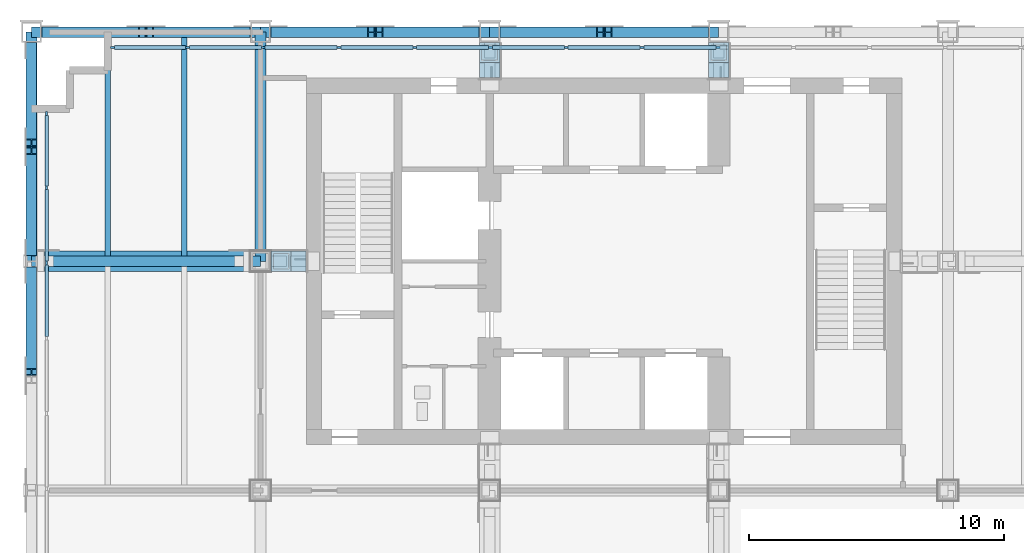
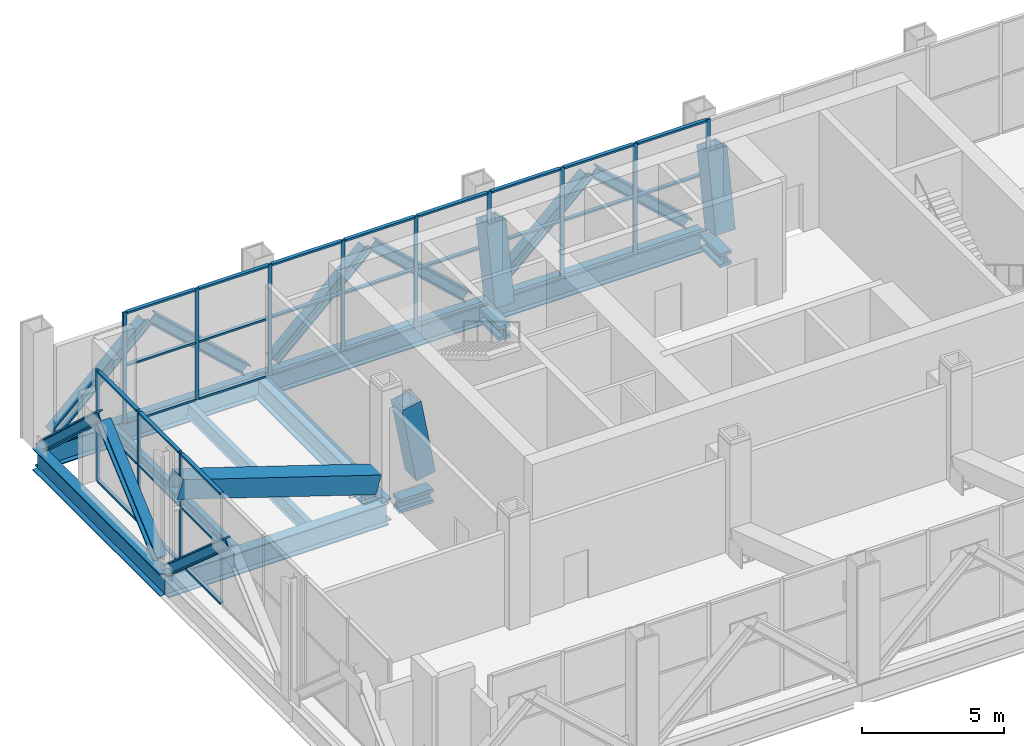
# One storey, part 4 of 13: 61 members, 8 beams, 2 elements without a shape of their own.
"""IFC4 building model written with IfcOpenShell, lengths in metres."""

from ifc_helpers import new_model, si_unit, direction, frame, origin, origin_2d, place, context, subcontext, project, spatial, rectangle, hollow_rectangle, i_section, extrude, material, material_profile, profile_set, type_object, element, aggregate, save


model = new_model("IFC4")

# Units and contexts
model_context = context("Model", 3, precision=1e-05, world=origin(), true_north=direction((0.0, 1.0)))
body_context = subcontext(model_context, "Body", "Model", "MODEL_VIEW")
ifc_project = project(units=[si_unit("LENGTHUNIT", "METRE"), si_unit("AREAUNIT", "SQUARE_METRE"), si_unit("VOLUMEUNIT", "CUBIC_METRE"), si_unit("PLANEANGLEUNIT", "RADIAN"), si_unit("MASSUNIT", "GRAM", prefix="KILO")], contexts=[model_context])

# Site, building, storey
site_placement = place(None, origin())
site = spatial("IfcSite", under=ifc_project, at=site_placement, CompositionType="ELEMENT")
building_placement = place(site_placement, origin())
building = spatial("IfcBuilding", under=site, at=building_placement, Name="Loomwork Tower", CompositionType="ELEMENT")
storey_placement = place(building_placement, frame((0.0, 0.0, 221.60009765625)))
storey = spatial("IfcBuildingStorey", under=building, at=storey_placement, Name="L61", CompositionType="ELEMENT", Elevation=221.60009765625)

# Beams
ifc_material_1 = material(Name="Steel ASTM A992", Category="steel")
ifc_material_profile_1 = material_profile(ifc_material_1, i_section(OverallWidth=0.424072265625, OverallDepth=0.947509765625, WebThickness=0.02392578125, FlangeThickness=0.042724609375, at=origin_2d()), Name="W36x302")
ifc_profile_set_1 = profile_set([ifc_material_profile_1], Name="Steel ASTM A992")
beam_type_1 = type_object("IfcBeamType", Name="BELT CHORD SPANDREL W36x302", PredefinedType="SPANDREL", material=ifc_profile_set_1)
for number, where, z_axis, x_axis, name in (
    (1, (0.0, 27.0, -0.723876953125), (1.0, 0.0, 0.0), (0.0, 1.0, 0.0), "Belt Chord Spandrel G/2-G/3 L61"),
    (2, (9.0, 27.0, -0.723876953125), (1.0, 0.0, 0.0), (0.0, 1.0, 0.0), "Belt Chord Spandrel G/3-G/4 L61"),
    (3, (18.0, 27.0, -0.723876953125), (1.0, 0.0, 0.0), (0.0, 1.0, 0.0), "Belt Chord Spandrel G/4-G/5 L61"),
    (4, (0.0, 18.0, -0.723876953125), (0.0, 1.0, 0.0), (-1.0, 0.0, 0.0), "Belt Chord Spandrel F/2-G/2 L61"),
):
    element("IfcBeam", number, at=place(storey_placement, frame(where, z_axis=z_axis, x_axis=x_axis)), inside=storey, type_object=beam_type_1, Name=name, PredefinedType="SPANDREL", context=body_context, shape_type="SweptSolid", body=[
        extrude(i_section(OverallWidth=0.424072265625, OverallDepth=0.947509765625, WebThickness=0.02392578125, FlangeThickness=0.042724609375, at=origin_2d()), origin(), (0.0, 0.0, 1.0), 9.0),
    ])

# Members
ifc_material_2 = material(Name="Steel ASTM A992", Category="steel")
ifc_material_profile_2 = material_profile(ifc_material_2, i_section(OverallWidth=0.411376953125, OverallDepth=0.434326171875, WebThickness=0.035888671875, FlangeThickness=0.057373046875, at=origin_2d()), Name="W14x311")
ifc_profile_set_2 = profile_set([ifc_material_profile_2], Name="Steel ASTM A992")
member_type_1 = type_object("IfcMemberType", Name="BELT TRUSS DIAGONAL W14x311", PredefinedType="BRACE", material=ifc_profile_set_2)
for number, where, z_axis, x_axis, name in (
    (5, (0.5576171875, 27.0, 0.169189453125), (0.732985346521, 0.0, 0.680244427971), (0.0, 1.0, 0.0), "Belt truss diagonal G/2-G/3 L61"),
    (6, (8.4423828125, 27.0, 0.169189453125), (-0.732985346521, 0.0, 0.680244427971), (0.0, -1.0, 0.0), "Belt truss diagonal G/2-G/3 L61"),
    (7, (9.5576171875, 27.0, 0.169189453125), (0.732985346521, 0.0, 0.680244427971), (0.0, 1.0, 0.0), "Belt truss diagonal G/3-G/4 L61"),
    (8, (17.4423828125, 27.0, 0.169189453125), (-0.732985346521, 0.0, 0.680244427971), (0.0, -1.0, 0.0), "Belt truss diagonal G/3-G/4 L61"),
    (9, (18.5576171875, 27.0, 0.169189453125), (0.732985346521, 0.0, 0.680244427971), (0.0, 1.0, 0.0), "Belt truss diagonal G/4-G/5 L61"),
    (10, (26.4423828125, 27.0, 0.169189453125), (-0.732985346521, 0.0, 0.680244427971), (0.0, -1.0, 0.0), "Belt truss diagonal G/4-G/5 L61"),
):
    element("IfcMember", number, at=place(storey_placement, frame(where, z_axis=z_axis, x_axis=x_axis)), inside=storey, type_object=member_type_1, Name=name, PredefinedType="BRACE", context=body_context, shape_type="SweptSolid", body=[
        extrude(i_section(OverallWidth=0.411376953125, OverallDepth=0.434326171875, WebThickness=0.035888671875, FlangeThickness=0.057373046875, at=origin_2d()), origin(), (0.0, 0.0, 1.0), 5.166015625),
    ])
for number, where, z_axis, x_axis, name in (
    (11, (0.0, 17.633056640625, 0.1728515625), (0.0, -0.750440506123, 0.660938005239), (1.0, 0.0, 0.0), "Belt truss diagonal E/2-F/2 L61"),
    (12, (0.0, 18.366943359375, 0.1728515625), (0.0, 0.750440506123, 0.660938005239), (-1.0, 0.0, 0.0), "Belt truss diagonal F/2-G/2 L61"),
):
    element("IfcMember", number, at=place(storey_placement, frame(where, z_axis=z_axis, x_axis=x_axis)), inside=storey, type_object=member_type_1, Name=name, PredefinedType="BRACE", context=body_context, shape_type="SweptSolid", body=[
        extrude(i_section(OverallWidth=0.411376953125, OverallDepth=0.434326171875, WebThickness=0.035888671875, FlangeThickness=0.057373046875, at=origin_2d()), origin(), (0.0, 0.0, 1.0), 5.305419921875),
    ])
member_1_placement = place(storey_placement, frame((0.0, 26.4423828125, 0.169189453125), z_axis=(0.0, -0.732985346521, 0.680244427971), x_axis=(1.0, 0.0, 0.0)))
element("IfcMember", 13, at=member_1_placement, inside=storey, type_object=member_type_1, Name="Belt truss diagonal F/2-G/2 L61", PredefinedType="BRACE", context=body_context, shape_type="SweptSolid", body=[
    extrude(i_section(OverallWidth=0.411376953125, OverallDepth=0.434326171875, WebThickness=0.035888671875, FlangeThickness=0.057373046875, at=origin_2d()), origin(), (0.0, 0.0, 1.0), 5.166015625),
])
ifc_material_3 = material(Name="Steel ASTM A572 Grade 50 plate", Category="steel")
ifc_material_profile_3 = material_profile(ifc_material_3, hollow_rectangle(XDim=0.800048828125, YDim=0.800048828125, WallThickness=0.090087890625, at=origin_2d()), Name="BOX800x90")
ifc_profile_set_3 = profile_set([ifc_material_profile_3], Name="Steel ASTM A572 Grade 50 plate")
member_type_2 = type_object("IfcMemberType", Name="OUTRIGGER DIAGONAL BOX800x90", PredefinedType="BRACE", material=ifc_profile_set_3)
member_2_placement = place(storey_placement, frame((0.376953125, 18.0, 3.460205078125), z_axis=(0.951067399308, 0.0, -0.308983497898), x_axis=(0.0, 1.0, 0.0)))
element("IfcMember", 14, at=member_2_placement, inside=storey, type_object=member_type_2, Name="Outrigger diagonal F/2 L61", PredefinedType="BRACE", context=body_context, shape_type="SweptSolid", body=[
    extrude(hollow_rectangle(XDim=0.800048828125, YDim=0.800048828125, WallThickness=0.090087890625, at=origin_2d()), origin(), (0.0, 0.0, 1.0), 8.50341796875),
])
member_3_placement = place(storey_placement, frame((9.8056640625, 18.0, 3.76904296875), z_axis=(0.178462027692, 0.0, -0.983946799716), x_axis=(0.0, 1.0, 0.0)))
element("IfcMember", 15, at=member_3_placement, inside=storey, type_object=member_type_2, Name="Outrigger diagonal F/3 L61", PredefinedType="BRACE", context=body_context, shape_type="SweptSolid", body=[
    extrude(hollow_rectangle(XDim=0.800048828125, YDim=0.800048828125, WallThickness=0.090087890625, at=origin_2d()), origin(), (0.0, 0.0, 1.0), 3.29833984375),
])
for number, where, z_axis, x_axis, name in (
    (16, (18.0, 26.1943359375, 3.766357421875), (0.0, -0.17860511499, -0.983920836704), (1.0, 0.0, 0.0), "Outrigger diagonal G/4 L61"),
    (17, (27.0, 26.1943359375, 3.766357421875), (0.0, -0.17860511499, -0.983920836704), (1.0, 0.0, 0.0), "Outrigger diagonal G/5 L61"),
):
    element("IfcMember", number, at=place(storey_placement, frame(where, z_axis=z_axis, x_axis=x_axis)), inside=storey, type_object=member_type_2, Name=name, PredefinedType="BRACE", context=body_context, shape_type="SweptSolid", body=[
        extrude(hollow_rectangle(XDim=0.800048828125, YDim=0.800048828125, WallThickness=0.090087890625, at=origin_2d()), origin(), (0.0, 0.0, 1.0), 3.295654296875),
    ])

# Beams
ifc_material_4 = material(Name="Steel ASTM A992", Category="steel")
ifc_material_profile_4 = material_profile(ifc_material_4, i_section(OverallWidth=0.4267578125, OverallDepth=0.939697265625, WebThickness=0.028564453125, FlangeThickness=0.050537109375, at=origin_2d()), Name="W36x361")
ifc_profile_set_4 = profile_set([ifc_material_profile_4], Name="Steel ASTM A992")
beam_type_2 = type_object("IfcBeamType", Name="OUTRIGGER FLOOR GIRDER W36x361", PredefinedType="BEAM", material=ifc_profile_set_4)
beam_1_placement = place(storey_placement, frame((9.0, 18.0, -0.719970703125), z_axis=(0.0, 1.0, 0.0), x_axis=(-1.0, 0.0, 0.0)))
element("IfcBeam", 18, at=beam_1_placement, inside=storey, type_object=beam_type_2, Name="Outrigger Floor Girder F/3-G/3 L61", PredefinedType="BEAM", context=body_context, shape_type="SweptSolid", body=[
    extrude(i_section(OverallWidth=0.4267578125, OverallDepth=0.939697265625, WebThickness=0.028564453125, FlangeThickness=0.050537109375, at=origin_2d()), origin(), (0.0, 0.0, 1.0), 9.0),
])
ifc_material_5 = material(Name="Steel ASTM A992", Category="steel")
ifc_material_profile_5 = material_profile(ifc_material_5, i_section(OverallWidth=0.424072265625, OverallDepth=0.947509765625, WebThickness=0.02392578125, FlangeThickness=0.042724609375, at=origin_2d()), Name="W36x302")
ifc_profile_set_5 = profile_set([ifc_material_profile_5], Name="Steel ASTM A992")
beam_type_3 = type_object("IfcBeamType", Name="OUTRIGGER GIRDER W36x302", PredefinedType="BEAM", material=ifc_profile_set_5)
beam_2_placement = place(storey_placement, frame((0.0, 18.0, -0.723876953125), z_axis=(1.0, 0.0, 0.0), x_axis=(0.0, 1.0, 0.0)))
element("IfcBeam", 19, at=beam_2_placement, inside=storey, type_object=beam_type_3, Name="Outrigger Girder F/2-F/3 L61", PredefinedType="BEAM", context=body_context, shape_type="SweptSolid", body=[
    extrude(i_section(OverallWidth=0.424072265625, OverallDepth=0.947509765625, WebThickness=0.02392578125, FlangeThickness=0.042724609375, at=origin_2d()), origin(), (0.0, 0.0, 1.0), 9.0),
])

# Members
ifc_material_6 = material(Name="Steel ASTM A992", Category="steel")
ifc_material_profile_6 = material_profile(ifc_material_6, i_section(OverallWidth=0.4775390625, OverallDepth=0.599365234375, WebThickness=0.10009765625, FlangeThickness=0.139892578125, at=origin_2d()), Name="W14x873")
ifc_profile_set_6 = profile_set([ifc_material_profile_6], Name="Steel ASTM A992")
member_type_3 = type_object("IfcMemberType", Name="OUTRIGGER STRUT W14x873", PredefinedType="STRUT", material=ifc_profile_set_6)
for number, where, z_axis, x_axis, name in (
    (20, (27.0, 26.590087890625, -0.5498046875), (0.0, -1.0, 0.0), (1.0, 0.0, 0.0), "Outrigger strut G/5-27.000,24.900 L61"),
    (21, (18.0, 26.590087890625, -0.5498046875), (0.0, -1.0, 0.0), (1.0, 0.0, 0.0), "Outrigger strut G/4-18.000,24.900 L61"),
    (22, (9.409912109375, 18.0, -0.5498046875), (1.0, 0.0, 0.0), (0.0, 1.0, 0.0), "Outrigger strut F/3-11.100,18.000 L61"),
):
    element("IfcMember", number, at=place(storey_placement, frame(where, z_axis=z_axis, x_axis=x_axis)), inside=storey, type_object=member_type_3, Name=name, PredefinedType="STRUT", context=body_context, shape_type="SweptSolid", body=[
        extrude(i_section(OverallWidth=0.4775390625, OverallDepth=0.599365234375, WebThickness=0.10009765625, FlangeThickness=0.139892578125, at=origin_2d()), origin(), (0.0, 0.0, 1.0), 1.375),
    ])

# Beams
ifc_material_7 = material(Name="Steel ASTM A992", Category="steel")
ifc_material_profile_7 = material_profile(ifc_material_7, i_section(OverallWidth=0.228271484375, OverallDepth=0.607177734375, WebThickness=0.01123046875, FlangeThickness=0.017333984375, at=origin_2d()), Name="W24x76")
ifc_profile_set_7 = profile_set([ifc_material_profile_7], Name="Steel ASTM A992")
beam_type_4 = type_object("IfcBeamType", Name="PLANT FLOOR JOIST W24x76", PredefinedType="JOIST", material=ifc_profile_set_7)
for number, where, z_axis, x_axis, name in (
    (23, (3.0, 18.2119140625, -0.5537109375), (0.0, 1.0, 0.0), (-1.0, 0.0, 0.0), "Plant Floor Joist 3.000,18.000-3.000,27.000 L61"),
    (24, (6.0, 18.2119140625, -0.5537109375), (0.0, 1.0, 0.0), (-1.0, 0.0, 0.0), "Plant Floor Joist 6.000,18.000-6.000,27.000 L61"),
):
    element("IfcBeam", number, at=place(storey_placement, frame(where, z_axis=z_axis, x_axis=x_axis)), inside=storey, type_object=beam_type_4, Name=name, PredefinedType="JOIST", context=body_context, shape_type="SweptSolid", body=[
        extrude(i_section(OverallWidth=0.228271484375, OverallDepth=0.607177734375, WebThickness=0.01123046875, FlangeThickness=0.017333984375, at=origin_2d()), origin(), (0.0, 0.0, 1.0), 8.576171875),
    ])

# Curtain wall, members
ifc_material_8 = material(Name="Aluminium louvre frame", Category="aluminium")
curtain_wall_type = type_object("IfcCurtainWallType", Name="Plant floor louvre screen", PredefinedType="NOTDEFINED", material=ifc_material_8)
curtain_wall_1_placement = place(storey_placement, origin())
curtain_wall_1 = element("IfcCurtainWall", 25, at=curtain_wall_1_placement, inside=storey, type_object=curtain_wall_type, Name="Plant floor louvre screen cw/N", PredefinedType="NOTDEFINED")
ifc_material_9 = material(Name="Aluminium louvre frame", Category="aluminium")
ifc_material_profile_8 = material_profile(ifc_material_9, rectangle(XDim=0.080078125, YDim=0.14990234375, at=origin_2d()), Name="AL 80x150")
ifc_profile_set_8 = profile_set([ifc_material_profile_8], Name="Aluminium louvre frame")
member_type_4 = type_object("IfcMemberType", Name="Plant floor louvre screen mullion", PredefinedType="MULLION", material=ifc_profile_set_8)
member_4_placement = place(storey_placement, frame((26.96533203125, 26.39990234375, 0.0), z_axis=(0.0, 0.0, 1.0), x_axis=(0.0, -1.0, 0.0)))
member_4 = element("IfcMember", 26, at=member_4_placement, type_object=member_type_4, Name="CW4 mullion 6", PredefinedType="MULLION", context=body_context, shape_type="SweptSolid", body=[
    extrude(rectangle(XDim=0.080078125, YDim=0.14990234375, at=origin_2d()), origin(), (0.0, 0.0, 1.0), 4.7998046875),
])
member_5_placement = place(storey_placement, frame((23.988525390625, 26.39990234375, 0.0), z_axis=(0.0, 0.0, 1.0), x_axis=(0.0, -1.0, 0.0)))
member_5 = element("IfcMember", 27, at=member_5_placement, type_object=member_type_4, Name="CW4 mullion 7", PredefinedType="MULLION", context=body_context, shape_type="SweptSolid", body=[
    extrude(rectangle(XDim=0.080078125, YDim=0.14990234375, at=origin_2d()), origin(), (0.0, 0.0, 1.0), 4.7998046875),
])
member_6_placement = place(storey_placement, frame((21.011474609375, 26.39990234375, 0.0), z_axis=(0.0, 0.0, 1.0), x_axis=(0.0, -1.0, 0.0)))
member_6 = element("IfcMember", 28, at=member_6_placement, type_object=member_type_4, Name="CW4 mullion 8", PredefinedType="MULLION", context=body_context, shape_type="SweptSolid", body=[
    extrude(rectangle(XDim=0.080078125, YDim=0.14990234375, at=origin_2d()), origin(), (0.0, 0.0, 1.0), 4.7998046875),
])
member_7_placement = place(storey_placement, frame((18.03466796875, 26.39990234375, 0.0), z_axis=(0.0, 0.0, 1.0), x_axis=(0.0, -1.0, 0.0)))
member_7 = element("IfcMember", 29, at=member_7_placement, type_object=member_type_4, Name="CW4 mullion 9", PredefinedType="MULLION", context=body_context, shape_type="SweptSolid", body=[
    extrude(rectangle(XDim=0.080078125, YDim=0.14990234375, at=origin_2d()), origin(), (0.0, 0.0, 1.0), 4.7998046875),
])
member_8_placement = place(storey_placement, frame((15.0576171875, 26.39990234375, 0.0), z_axis=(0.0, 0.0, 1.0), x_axis=(0.0, -1.0, 0.0)))
member_8 = element("IfcMember", 30, at=member_8_placement, type_object=member_type_4, Name="CW4 mullion 10", PredefinedType="MULLION", context=body_context, shape_type="SweptSolid", body=[
    extrude(rectangle(XDim=0.080078125, YDim=0.14990234375, at=origin_2d()), origin(), (0.0, 0.0, 1.0), 4.7998046875),
])
member_9_placement = place(storey_placement, frame((12.080810546875, 26.39990234375, 0.0), z_axis=(0.0, 0.0, 1.0), x_axis=(0.0, -1.0, 0.0)))
member_9 = element("IfcMember", 31, at=member_9_placement, type_object=member_type_4, Name="CW4 mullion 11", PredefinedType="MULLION", context=body_context, shape_type="SweptSolid", body=[
    extrude(rectangle(XDim=0.080078125, YDim=0.14990234375, at=origin_2d()), origin(), (0.0, 0.0, 1.0), 4.7998046875),
])
member_10_placement = place(storey_placement, frame((9.103759765625, 26.39990234375, 0.0), z_axis=(0.0, 0.0, 1.0), x_axis=(0.0, -1.0, 0.0)))
member_10 = element("IfcMember", 32, at=member_10_placement, type_object=member_type_4, Name="CW4 mullion 12", PredefinedType="MULLION", context=body_context, shape_type="SweptSolid", body=[
    extrude(rectangle(XDim=0.080078125, YDim=0.14990234375, at=origin_2d()), origin(), (0.0, 0.0, 1.0), 4.7998046875),
])
member_11_placement = place(storey_placement, frame((6.126953125, 26.39990234375, 0.0), z_axis=(0.0, 0.0, 1.0), x_axis=(0.0, -1.0, 0.0)))
member_11 = element("IfcMember", 33, at=member_11_placement, type_object=member_type_4, Name="CW4 mullion 13", PredefinedType="MULLION", context=body_context, shape_type="SweptSolid", body=[
    extrude(rectangle(XDim=0.080078125, YDim=0.14990234375, at=origin_2d()), origin(), (0.0, 0.0, 1.0), 4.7998046875),
])
member_12_placement = place(storey_placement, frame((3.18994140625, 26.39990234375, 0.0), z_axis=(0.0, 0.0, 1.0), x_axis=(0.0, -1.0, 0.0)))
member_12 = element("IfcMember", 34, at=member_12_placement, type_object=member_type_4, Name="CW4 mullion 14", PredefinedType="MULLION", context=body_context, shape_type="SweptSolid", body=[
    extrude(rectangle(XDim=0.080078125, YDim=0.14990234375, at=origin_2d()), origin(), (0.0, 0.0, 1.0), 4.7998046875),
])

curtain_wall_2_placement = place(storey_placement, origin())
curtain_wall_2 = element("IfcCurtainWall", 35, at=curtain_wall_2_placement, inside=storey, type_object=curtain_wall_type, Name="Plant floor louvre screen cw/W", PredefinedType="NOTDEFINED")
member_13_placement = place(storey_placement, frame((0.60009765625, 23.81005859375, 0.0), z_axis=(0.0, 0.0, 1.0), x_axis=(1.0, 0.0, 0.0)))
member_13 = element("IfcMember", 36, at=member_13_placement, type_object=member_type_4, Name="CW4 mullion 1", PredefinedType="MULLION", context=body_context, shape_type="SweptSolid", body=[
    extrude(rectangle(XDim=0.080078125, YDim=0.14990234375, at=origin_2d()), origin(), (0.0, 0.0, 1.0), 4.7998046875),
])
member_14_placement = place(storey_placement, frame((0.60009765625, 20.892822265625, 0.0), z_axis=(0.0, 0.0, 1.0), x_axis=(1.0, 0.0, 0.0)))
member_14 = element("IfcMember", 37, at=member_14_placement, type_object=member_type_4, Name="CW4 mullion 2", PredefinedType="MULLION", context=body_context, shape_type="SweptSolid", body=[
    extrude(rectangle(XDim=0.080078125, YDim=0.14990234375, at=origin_2d()), origin(), (0.0, 0.0, 1.0), 4.7998046875),
])
member_15_placement = place(storey_placement, frame((0.60009765625, 17.935791015625, 0.0), z_axis=(0.0, 0.0, 1.0), x_axis=(1.0, 0.0, 0.0)))
member_15 = element("IfcMember", 38, at=member_15_placement, type_object=member_type_4, Name="CW4 mullion 3", PredefinedType="MULLION", context=body_context, shape_type="SweptSolid", body=[
    extrude(rectangle(XDim=0.080078125, YDim=0.14990234375, at=origin_2d()), origin(), (0.0, 0.0, 1.0), 4.7998046875),
])

# Member
ifc_material_10 = material(Name="Aluminium louvre frame", Category="aluminium")
ifc_material_profile_9 = material_profile(ifc_material_10, rectangle(XDim=0.14990234375, YDim=0.080078125, at=origin_2d()), Name="AL 80x150")
ifc_profile_set_9 = profile_set([ifc_material_profile_9], Name="Aluminium louvre frame")
member_type_5 = type_object("IfcMemberType", Name="Plant floor louvre screen transom", PredefinedType="USERDEFINED", material=ifc_profile_set_9)
member_16_placement = place(storey_placement, frame((26.890380859375, 26.39990234375, 0.039794921875), z_axis=(-1.0, 0.0, 0.0), x_axis=(0.0, -1.0, 0.0)))
member_16 = element("IfcMember", 39, at=member_16_placement, type_object=member_type_5, Name="CW4 transom 6.1", ObjectType="TRANSOM", PredefinedType="USERDEFINED", context=body_context, shape_type="SweptSolid", body=[
    extrude(rectangle(XDim=0.14990234375, YDim=0.080078125, at=origin_2d()), origin(), (0.0, 0.0, 1.0), 2.826904296875),
])

member_17_placement = place(storey_placement, frame((26.890380859375, 26.39990234375, 2.5), z_axis=(-1.0, 0.0, 0.0), x_axis=(0.0, -1.0, 0.0)))
member_17 = element("IfcMember", 40, at=member_17_placement, type_object=member_type_5, Name="CW4 transom 6.2", ObjectType="TRANSOM", PredefinedType="USERDEFINED", context=body_context, shape_type="SweptSolid", body=[
    extrude(rectangle(XDim=0.14990234375, YDim=0.080078125, at=origin_2d()), origin(), (0.0, 0.0, 1.0), 2.826904296875),
])

member_18_placement = place(storey_placement, frame((26.890380859375, 26.39990234375, 4.760009765625), z_axis=(-1.0, 0.0, 0.0), x_axis=(0.0, -1.0, 0.0)))
member_18 = element("IfcMember", 41, at=member_18_placement, type_object=member_type_5, Name="CW4 transom 6.3", ObjectType="TRANSOM", PredefinedType="USERDEFINED", context=body_context, shape_type="SweptSolid", body=[
    extrude(rectangle(XDim=0.14990234375, YDim=0.080078125, at=origin_2d()), origin(), (0.0, 0.0, 1.0), 2.826904296875),
])

member_19_placement = place(storey_placement, frame((23.91357421875, 26.39990234375, 0.039794921875), z_axis=(-1.0, 0.0, 0.0), x_axis=(0.0, -1.0, 0.0)))
member_19 = element("IfcMember", 42, at=member_19_placement, type_object=member_type_5, Name="CW4 transom 7.1", ObjectType="TRANSOM", PredefinedType="USERDEFINED", context=body_context, shape_type="SweptSolid", body=[
    extrude(rectangle(XDim=0.14990234375, YDim=0.080078125, at=origin_2d()), origin(), (0.0, 0.0, 1.0), 2.8271484375),
])

member_20_placement = place(storey_placement, frame((23.91357421875, 26.39990234375, 2.5), z_axis=(-1.0, 0.0, 0.0), x_axis=(0.0, -1.0, 0.0)))
member_20 = element("IfcMember", 43, at=member_20_placement, type_object=member_type_5, Name="CW4 transom 7.2", ObjectType="TRANSOM", PredefinedType="USERDEFINED", context=body_context, shape_type="SweptSolid", body=[
    extrude(rectangle(XDim=0.14990234375, YDim=0.080078125, at=origin_2d()), origin(), (0.0, 0.0, 1.0), 2.8271484375),
])

member_21_placement = place(storey_placement, frame((23.91357421875, 26.39990234375, 4.760009765625), z_axis=(-1.0, 0.0, 0.0), x_axis=(0.0, -1.0, 0.0)))
member_21 = element("IfcMember", 44, at=member_21_placement, type_object=member_type_5, Name="CW4 transom 7.3", ObjectType="TRANSOM", PredefinedType="USERDEFINED", context=body_context, shape_type="SweptSolid", body=[
    extrude(rectangle(XDim=0.14990234375, YDim=0.080078125, at=origin_2d()), origin(), (0.0, 0.0, 1.0), 2.8271484375),
])

member_22_placement = place(storey_placement, frame((20.9365234375, 26.39990234375, 0.039794921875), z_axis=(-1.0, 0.0, 0.0), x_axis=(0.0, -1.0, 0.0)))
member_22 = element("IfcMember", 45, at=member_22_placement, type_object=member_type_5, Name="CW4 transom 8.1", ObjectType="TRANSOM", PredefinedType="USERDEFINED", context=body_context, shape_type="SweptSolid", body=[
    extrude(rectangle(XDim=0.14990234375, YDim=0.080078125, at=origin_2d()), origin(), (0.0, 0.0, 1.0), 2.826904296875),
])

member_23_placement = place(storey_placement, frame((20.9365234375, 26.39990234375, 2.5), z_axis=(-1.0, 0.0, 0.0), x_axis=(0.0, -1.0, 0.0)))
member_23 = element("IfcMember", 46, at=member_23_placement, type_object=member_type_5, Name="CW4 transom 8.2", ObjectType="TRANSOM", PredefinedType="USERDEFINED", context=body_context, shape_type="SweptSolid", body=[
    extrude(rectangle(XDim=0.14990234375, YDim=0.080078125, at=origin_2d()), origin(), (0.0, 0.0, 1.0), 2.826904296875),
])

member_24_placement = place(storey_placement, frame((20.9365234375, 26.39990234375, 4.760009765625), z_axis=(-1.0, 0.0, 0.0), x_axis=(0.0, -1.0, 0.0)))
member_24 = element("IfcMember", 47, at=member_24_placement, type_object=member_type_5, Name="CW4 transom 8.3", ObjectType="TRANSOM", PredefinedType="USERDEFINED", context=body_context, shape_type="SweptSolid", body=[
    extrude(rectangle(XDim=0.14990234375, YDim=0.080078125, at=origin_2d()), origin(), (0.0, 0.0, 1.0), 2.826904296875),
])

member_25_placement = place(storey_placement, frame((17.959716796875, 26.39990234375, 0.039794921875), z_axis=(-1.0, 0.0, 0.0), x_axis=(0.0, -1.0, 0.0)))
member_25 = element("IfcMember", 48, at=member_25_placement, type_object=member_type_5, Name="CW4 transom 9.1", ObjectType="TRANSOM", PredefinedType="USERDEFINED", context=body_context, shape_type="SweptSolid", body=[
    extrude(rectangle(XDim=0.14990234375, YDim=0.080078125, at=origin_2d()), origin(), (0.0, 0.0, 1.0), 2.826904296875),
])

member_26_placement = place(storey_placement, frame((17.959716796875, 26.39990234375, 2.5), z_axis=(-1.0, 0.0, 0.0), x_axis=(0.0, -1.0, 0.0)))
member_26 = element("IfcMember", 49, at=member_26_placement, type_object=member_type_5, Name="CW4 transom 9.2", ObjectType="TRANSOM", PredefinedType="USERDEFINED", context=body_context, shape_type="SweptSolid", body=[
    extrude(rectangle(XDim=0.14990234375, YDim=0.080078125, at=origin_2d()), origin(), (0.0, 0.0, 1.0), 2.826904296875),
])

member_27_placement = place(storey_placement, frame((17.959716796875, 26.39990234375, 4.760009765625), z_axis=(-1.0, 0.0, 0.0), x_axis=(0.0, -1.0, 0.0)))
member_27 = element("IfcMember", 50, at=member_27_placement, type_object=member_type_5, Name="CW4 transom 9.3", ObjectType="TRANSOM", PredefinedType="USERDEFINED", context=body_context, shape_type="SweptSolid", body=[
    extrude(rectangle(XDim=0.14990234375, YDim=0.080078125, at=origin_2d()), origin(), (0.0, 0.0, 1.0), 2.826904296875),
])

member_28_placement = place(storey_placement, frame((14.982666015625, 26.39990234375, 0.039794921875), z_axis=(-1.0, 0.0, 0.0), x_axis=(0.0, -1.0, 0.0)))
member_28 = element("IfcMember", 51, at=member_28_placement, type_object=member_type_5, Name="CW4 transom 10.1", ObjectType="TRANSOM", PredefinedType="USERDEFINED", context=body_context, shape_type="SweptSolid", body=[
    extrude(rectangle(XDim=0.14990234375, YDim=0.080078125, at=origin_2d()), origin(), (0.0, 0.0, 1.0), 2.826904296875),
])

member_29_placement = place(storey_placement, frame((14.982666015625, 26.39990234375, 2.5), z_axis=(-1.0, 0.0, 0.0), x_axis=(0.0, -1.0, 0.0)))
member_29 = element("IfcMember", 52, at=member_29_placement, type_object=member_type_5, Name="CW4 transom 10.2", ObjectType="TRANSOM", PredefinedType="USERDEFINED", context=body_context, shape_type="SweptSolid", body=[
    extrude(rectangle(XDim=0.14990234375, YDim=0.080078125, at=origin_2d()), origin(), (0.0, 0.0, 1.0), 2.826904296875),
])

member_30_placement = place(storey_placement, frame((14.982666015625, 26.39990234375, 4.760009765625), z_axis=(-1.0, 0.0, 0.0), x_axis=(0.0, -1.0, 0.0)))
member_30 = element("IfcMember", 53, at=member_30_placement, type_object=member_type_5, Name="CW4 transom 10.3", ObjectType="TRANSOM", PredefinedType="USERDEFINED", context=body_context, shape_type="SweptSolid", body=[
    extrude(rectangle(XDim=0.14990234375, YDim=0.080078125, at=origin_2d()), origin(), (0.0, 0.0, 1.0), 2.826904296875),
])

member_31_placement = place(storey_placement, frame((12.005859375, 26.39990234375, 0.039794921875), z_axis=(-1.0, 0.0, 0.0), x_axis=(0.0, -1.0, 0.0)))
member_31 = element("IfcMember", 54, at=member_31_placement, type_object=member_type_5, Name="CW4 transom 11.1", ObjectType="TRANSOM", PredefinedType="USERDEFINED", context=body_context, shape_type="SweptSolid", body=[
    extrude(rectangle(XDim=0.14990234375, YDim=0.080078125, at=origin_2d()), origin(), (0.0, 0.0, 1.0), 2.826904296875),
])

member_32_placement = place(storey_placement, frame((12.005859375, 26.39990234375, 2.5), z_axis=(-1.0, 0.0, 0.0), x_axis=(0.0, -1.0, 0.0)))
member_32 = element("IfcMember", 55, at=member_32_placement, type_object=member_type_5, Name="CW4 transom 11.2", ObjectType="TRANSOM", PredefinedType="USERDEFINED", context=body_context, shape_type="SweptSolid", body=[
    extrude(rectangle(XDim=0.14990234375, YDim=0.080078125, at=origin_2d()), origin(), (0.0, 0.0, 1.0), 2.826904296875),
])

member_33_placement = place(storey_placement, frame((12.005859375, 26.39990234375, 4.760009765625), z_axis=(-1.0, 0.0, 0.0), x_axis=(0.0, -1.0, 0.0)))
member_33 = element("IfcMember", 56, at=member_33_placement, type_object=member_type_5, Name="CW4 transom 11.3", ObjectType="TRANSOM", PredefinedType="USERDEFINED", context=body_context, shape_type="SweptSolid", body=[
    extrude(rectangle(XDim=0.14990234375, YDim=0.080078125, at=origin_2d()), origin(), (0.0, 0.0, 1.0), 2.826904296875),
])

member_34_placement = place(storey_placement, frame((9.02880859375, 26.39990234375, 0.039794921875), z_axis=(-1.0, 0.0, 0.0), x_axis=(0.0, -1.0, 0.0)))
member_34 = element("IfcMember", 57, at=member_34_placement, type_object=member_type_5, Name="CW4 transom 12.1", ObjectType="TRANSOM", PredefinedType="USERDEFINED", context=body_context, shape_type="SweptSolid", body=[
    extrude(rectangle(XDim=0.14990234375, YDim=0.080078125, at=origin_2d()), origin(), (0.0, 0.0, 1.0), 2.826904296875),
])

member_35_placement = place(storey_placement, frame((9.02880859375, 26.39990234375, 2.5), z_axis=(-1.0, 0.0, 0.0), x_axis=(0.0, -1.0, 0.0)))
member_35 = element("IfcMember", 58, at=member_35_placement, type_object=member_type_5, Name="CW4 transom 12.2", ObjectType="TRANSOM", PredefinedType="USERDEFINED", context=body_context, shape_type="SweptSolid", body=[
    extrude(rectangle(XDim=0.14990234375, YDim=0.080078125, at=origin_2d()), origin(), (0.0, 0.0, 1.0), 2.826904296875),
])

member_36_placement = place(storey_placement, frame((9.02880859375, 26.39990234375, 4.760009765625), z_axis=(-1.0, 0.0, 0.0), x_axis=(0.0, -1.0, 0.0)))
member_36 = element("IfcMember", 59, at=member_36_placement, type_object=member_type_5, Name="CW4 transom 12.3", ObjectType="TRANSOM", PredefinedType="USERDEFINED", context=body_context, shape_type="SweptSolid", body=[
    extrude(rectangle(XDim=0.14990234375, YDim=0.080078125, at=origin_2d()), origin(), (0.0, 0.0, 1.0), 2.826904296875),
])

member_37_placement = place(storey_placement, frame((6.052001953125, 26.39990234375, 0.039794921875), z_axis=(-1.0, 0.0, 0.0), x_axis=(0.0, -1.0, 0.0)))
member_37 = element("IfcMember", 60, at=member_37_placement, type_object=member_type_5, Name="CW4 transom 13.1", ObjectType="TRANSOM", PredefinedType="USERDEFINED", context=body_context, shape_type="SweptSolid", body=[
    extrude(rectangle(XDim=0.14990234375, YDim=0.080078125, at=origin_2d()), origin(), (0.0, 0.0, 1.0), 2.787109375),
])

member_38_placement = place(storey_placement, frame((6.052001953125, 26.39990234375, 2.5), z_axis=(-1.0, 0.0, 0.0), x_axis=(0.0, -1.0, 0.0)))
member_38 = element("IfcMember", 61, at=member_38_placement, type_object=member_type_5, Name="CW4 transom 13.2", ObjectType="TRANSOM", PredefinedType="USERDEFINED", context=body_context, shape_type="SweptSolid", body=[
    extrude(rectangle(XDim=0.14990234375, YDim=0.080078125, at=origin_2d()), origin(), (0.0, 0.0, 1.0), 2.787109375),
])

member_39_placement = place(storey_placement, frame((6.052001953125, 26.39990234375, 4.760009765625), z_axis=(-1.0, 0.0, 0.0), x_axis=(0.0, -1.0, 0.0)))
member_39 = element("IfcMember", 62, at=member_39_placement, type_object=member_type_5, Name="CW4 transom 13.3", ObjectType="TRANSOM", PredefinedType="USERDEFINED", context=body_context, shape_type="SweptSolid", body=[
    extrude(rectangle(XDim=0.14990234375, YDim=0.080078125, at=origin_2d()), origin(), (0.0, 0.0, 1.0), 2.787109375),
])

aggregate(curtain_wall_1, [member_4, member_5, member_6, member_7, member_8, member_9, member_10, member_11, member_12, member_16, member_17, member_18, member_19, member_20, member_21, member_22, member_23, member_24, member_25, member_26, member_27, member_28, member_29, member_30, member_31, member_32, member_33, member_34, member_35, member_36, member_37, member_38, member_39])

member_40_placement = place(storey_placement, frame((0.60009765625, 23.735107421875, 0.039794921875), z_axis=(0.0, -1.0, 0.0), x_axis=(1.0, 0.0, 0.0)))
member_40 = element("IfcMember", 63, at=member_40_placement, type_object=member_type_5, Name="CW4 transom 1.1", ObjectType="TRANSOM", PredefinedType="USERDEFINED", context=body_context, shape_type="SweptSolid", body=[
    extrude(rectangle(XDim=0.14990234375, YDim=0.080078125, at=origin_2d()), origin(), (0.0, 0.0, 1.0), 2.767333984375),
])

member_41_placement = place(storey_placement, frame((0.60009765625, 23.735107421875, 2.5), z_axis=(0.0, -1.0, 0.0), x_axis=(1.0, 0.0, 0.0)))
member_41 = element("IfcMember", 64, at=member_41_placement, type_object=member_type_5, Name="CW4 transom 1.2", ObjectType="TRANSOM", PredefinedType="USERDEFINED", context=body_context, shape_type="SweptSolid", body=[
    extrude(rectangle(XDim=0.14990234375, YDim=0.080078125, at=origin_2d()), origin(), (0.0, 0.0, 1.0), 2.767333984375),
])

member_42_placement = place(storey_placement, frame((0.60009765625, 23.735107421875, 4.760009765625), z_axis=(0.0, -1.0, 0.0), x_axis=(1.0, 0.0, 0.0)))
member_42 = element("IfcMember", 65, at=member_42_placement, type_object=member_type_5, Name="CW4 transom 1.3", ObjectType="TRANSOM", PredefinedType="USERDEFINED", context=body_context, shape_type="SweptSolid", body=[
    extrude(rectangle(XDim=0.14990234375, YDim=0.080078125, at=origin_2d()), origin(), (0.0, 0.0, 1.0), 2.767333984375),
])

member_43_placement = place(storey_placement, frame((0.60009765625, 20.81787109375, 0.039794921875), z_axis=(0.0, -1.0, 0.0), x_axis=(1.0, 0.0, 0.0)))
member_43 = element("IfcMember", 66, at=member_43_placement, type_object=member_type_5, Name="CW4 transom 2.1", ObjectType="TRANSOM", PredefinedType="USERDEFINED", context=body_context, shape_type="SweptSolid", body=[
    extrude(rectangle(XDim=0.14990234375, YDim=0.080078125, at=origin_2d()), origin(), (0.0, 0.0, 1.0), 2.80712890625),
])

member_44_placement = place(storey_placement, frame((0.60009765625, 20.81787109375, 2.5), z_axis=(0.0, -1.0, 0.0), x_axis=(1.0, 0.0, 0.0)))
member_44 = element("IfcMember", 67, at=member_44_placement, type_object=member_type_5, Name="CW4 transom 2.2", ObjectType="TRANSOM", PredefinedType="USERDEFINED", context=body_context, shape_type="SweptSolid", body=[
    extrude(rectangle(XDim=0.14990234375, YDim=0.080078125, at=origin_2d()), origin(), (0.0, 0.0, 1.0), 2.80712890625),
])

member_45_placement = place(storey_placement, frame((0.60009765625, 20.81787109375, 4.760009765625), z_axis=(0.0, -1.0, 0.0), x_axis=(1.0, 0.0, 0.0)))
member_45 = element("IfcMember", 68, at=member_45_placement, type_object=member_type_5, Name="CW4 transom 2.3", ObjectType="TRANSOM", PredefinedType="USERDEFINED", context=body_context, shape_type="SweptSolid", body=[
    extrude(rectangle(XDim=0.14990234375, YDim=0.080078125, at=origin_2d()), origin(), (0.0, 0.0, 1.0), 2.80712890625),
])

member_46_placement = place(storey_placement, frame((0.60009765625, 17.860595703125, 0.039794921875), z_axis=(0.0, -1.0, 0.0), x_axis=(1.0, 0.0, 0.0)))
member_46 = element("IfcMember", 69, at=member_46_placement, type_object=member_type_5, Name="CW4 transom 3.1", ObjectType="TRANSOM", PredefinedType="USERDEFINED", context=body_context, shape_type="SweptSolid", body=[
    extrude(rectangle(XDim=0.14990234375, YDim=0.080078125, at=origin_2d()), origin(), (0.0, 0.0, 1.0), 2.80712890625),
])

member_47_placement = place(storey_placement, frame((0.60009765625, 17.860595703125, 2.5), z_axis=(0.0, -1.0, 0.0), x_axis=(1.0, 0.0, 0.0)))
member_47 = element("IfcMember", 70, at=member_47_placement, type_object=member_type_5, Name="CW4 transom 3.2", ObjectType="TRANSOM", PredefinedType="USERDEFINED", context=body_context, shape_type="SweptSolid", body=[
    extrude(rectangle(XDim=0.14990234375, YDim=0.080078125, at=origin_2d()), origin(), (0.0, 0.0, 1.0), 2.80712890625),
])

member_48_placement = place(storey_placement, frame((0.60009765625, 17.860595703125, 4.760009765625), z_axis=(0.0, -1.0, 0.0), x_axis=(1.0, 0.0, 0.0)))
member_48 = element("IfcMember", 71, at=member_48_placement, type_object=member_type_5, Name="CW4 transom 3.3", ObjectType="TRANSOM", PredefinedType="USERDEFINED", context=body_context, shape_type="SweptSolid", body=[
    extrude(rectangle(XDim=0.14990234375, YDim=0.080078125, at=origin_2d()), origin(), (0.0, 0.0, 1.0), 2.80712890625),
])

aggregate(curtain_wall_2, [member_13, member_14, member_15, member_40, member_41, member_42, member_43, member_44, member_45, member_46, member_47, member_48])

save(model, "model.ifc")
